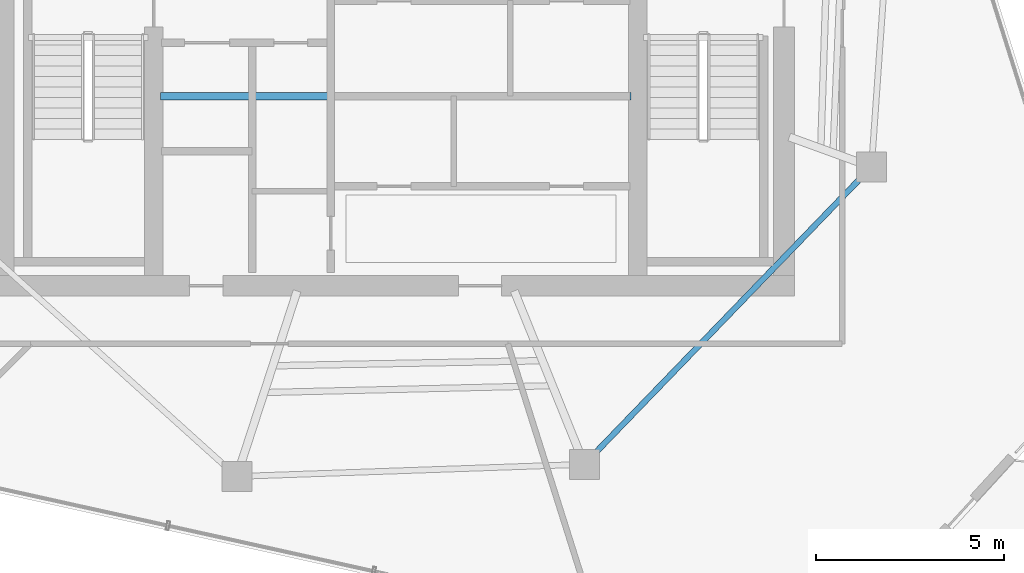
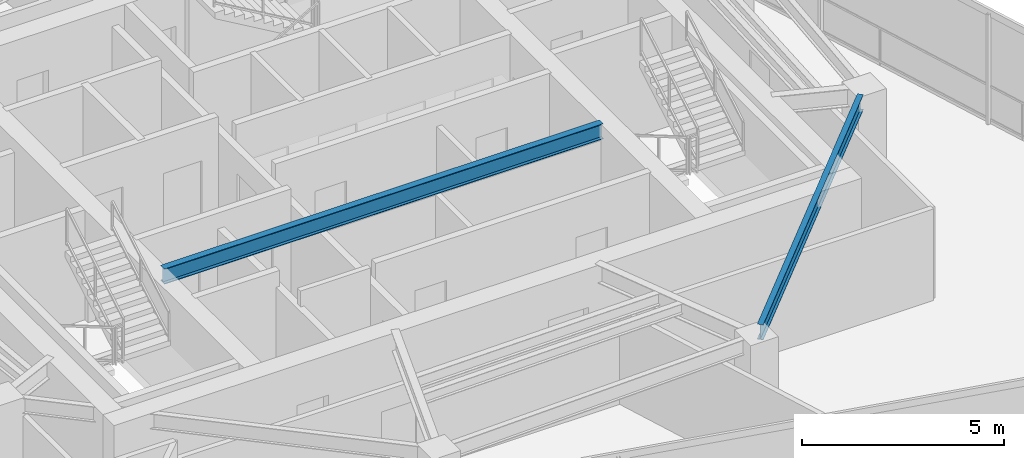
# One storey, part 5 of 18: 2 beams.
"""IFC4 building model written with IfcOpenShell, lengths in metres."""

from ifc_helpers import new_model, si_unit, direction, frame, origin, origin_2d, place, context, subcontext, project, spatial, i_section, extrude, material, material_profile, profile_set, type_object, element, save


model = new_model("IFC4")

# Units and contexts
model_context = context("Model", 3, precision=1e-05, world=origin(), true_north=direction((0.0, 1.0)))
body_context = subcontext(model_context, "Body", "Model", "MODEL_VIEW")
ifc_project = project(units=[si_unit("LENGTHUNIT", "METRE"), si_unit("AREAUNIT", "SQUARE_METRE"), si_unit("VOLUMEUNIT", "CUBIC_METRE"), si_unit("PLANEANGLEUNIT", "RADIAN"), si_unit("MASSUNIT", "GRAM", prefix="KILO")], contexts=[model_context])

# Site, building, storey
site_placement = place(None, origin())
site = spatial("IfcSite", under=ifc_project, at=site_placement, CompositionType="ELEMENT")
building_placement = place(site_placement, origin())
building = spatial("IfcBuilding", under=site, at=building_placement, Name="Qarnah Convention Tower", CompositionType="ELEMENT")
storey_placement = place(building_placement, frame((0.0, 0.0, 246.300048828125)))
storey = spatial("IfcBuildingStorey", under=building, at=storey_placement, Name="L66", CompositionType="ELEMENT", Elevation=246.300048828125)

# Beams
ifc_material = material(Name="Structural steel S355JR", Category="steel")
ifc_material_profile_1 = material_profile(ifc_material, i_section(OverallWidth=0.19189453125, OverallDepth=0.464111328125, WebThickness=0.010986328125, FlangeThickness=0.01806640625, at=origin_2d()), Name="W460X89")
ifc_profile_set_1 = profile_set([ifc_material_profile_1], Name="Structural steel S355JR")
beam_type_1 = type_object("IfcBeamType", Name="BM-CANT-W460A", PredefinedType="BEAM", material=ifc_profile_set_1)
beam_1_placement = place(storey_placement, frame((30.97998046875, 23.64990234375, 3.087890625), z_axis=(1.0, 0.0, 0.0), x_axis=(0.0, 1.0, 0.0)))
element("IfcBeam", 1, at=beam_1_placement, inside=storey, type_object=beam_type_1, Name="L66 beam BM-L66-KC1", PredefinedType="BEAM", context=body_context, shape_type="SweptSolid", body=[
    extrude(i_section(OverallWidth=0.19189453125, OverallDepth=0.464111328125, WebThickness=0.010986328125, FlangeThickness=0.01806640625, at=origin_2d()), origin(), (0.0, 0.0, 1.0), 12.5400390625),
])
ifc_material_profile_2 = material_profile(ifc_material, i_section(OverallWidth=0.154052734375, OverallDepth=0.4599609375, WebThickness=0.009033203125, FlangeThickness=0.014892578125, at=origin_2d()), Name="W460X68")
ifc_profile_set_2 = profile_set([ifc_material_profile_2], Name="Structural steel S355JR")
beam_type_2 = type_object("IfcBeamType", Name="BM-SPN-W460B", PredefinedType="SPANDREL", material=ifc_profile_set_2)
beam_2_placement = place(storey_placement, frame((42.547119140625, 14.117919921875, 3.08984375), z_axis=(0.694687671008, 0.719311503974, 0.0), x_axis=(-0.719311503974, 0.694687671008, 0.0)))
element("IfcBeam", 2, at=beam_2_placement, inside=storey, type_object=beam_type_2, Name="L66 spandrel BM-L66-SPN-08", PredefinedType="SPANDREL", context=body_context, shape_type="SweptSolid", body=[
    extrude(i_section(OverallWidth=0.154052734375, OverallDepth=0.4599609375, WebThickness=0.009033203125, FlangeThickness=0.014892578125, at=origin_2d()), origin(), (0.0, 0.0, 1.0), 10.241943359375),
])

save(model, "model.ifc")
